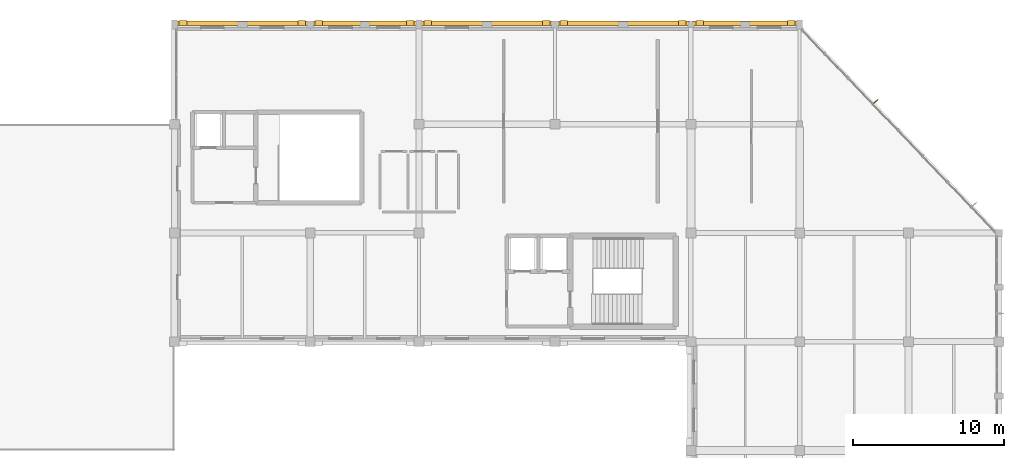
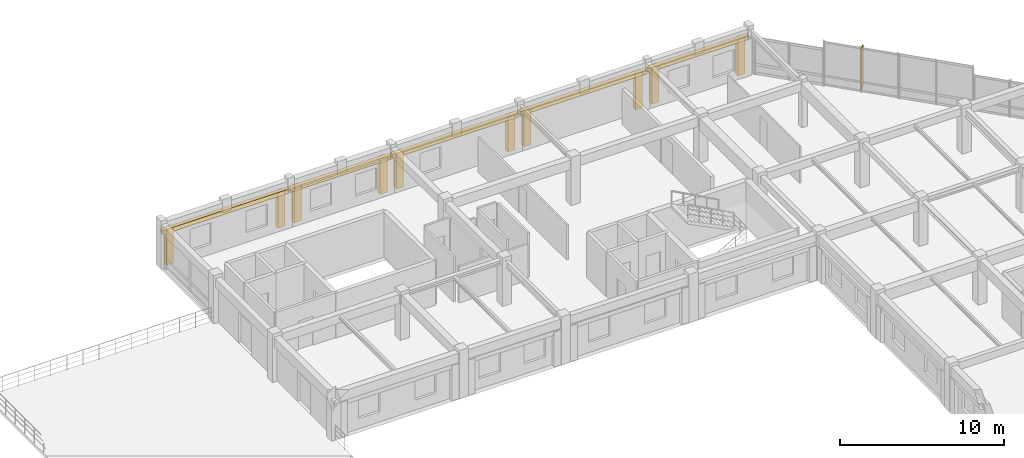
# One storey, part 18 of 18: 15 coverings, 1 shading device.
"""IFC4 building model written with IfcOpenShell, lengths in metres."""

from ifc_helpers import new_model, si_unit, direction, frame, frame_2d, origin, place, context, subcontext, project, spatial, rectangle, extrude, material, layer, layer_set, type_object, element, save


model = new_model("IFC4")

# Units and contexts
model_context = context("Model", 3, precision=1e-05, world=origin(), true_north=direction((0.0, 1.0)))
body_context = subcontext(model_context, "Body", "Model", "MODEL_VIEW")
ifc_project = project(units=[si_unit("LENGTHUNIT", "METRE"), si_unit("AREAUNIT", "SQUARE_METRE"), si_unit("VOLUMEUNIT", "CUBIC_METRE"), si_unit("PLANEANGLEUNIT", "RADIAN"), si_unit("MASSUNIT", "GRAM", prefix="KILO")], contexts=[model_context])

# Site, building, storey
site_placement = place(None, origin())
site = spatial("IfcSite", under=ifc_project, at=site_placement, CompositionType="ELEMENT")
building_placement = place(site_placement, origin())
building = spatial("IfcBuilding", under=site, at=building_placement, Name="Clarverna Civic Hall", CompositionType="ELEMENT")
storey_placement = place(building_placement, frame((0.0, 0.0, 20.39990234375)))
storey = spatial("IfcBuildingStorey", under=building, at=storey_placement, Name="L05", CompositionType="ELEMENT", Elevation=20.39990234375)

# Coverings
ifc_material_1 = material(Name="Montjuic Buff Limestone Ashlar Cladding", Category="masonry")
ifc_layer_1 = layer(ifc_material_1, 0.070068359375)
ifc_layer_set_1 = layer_set([ifc_layer_1], Name="Montjuic Buff Limestone Ashlar Cladding")
covering_type = type_object("IfcCoveringType", Name="CV-CL2", PredefinedType="CLADDING", material=ifc_layer_set_1)
covering_1_placement = place(storey_placement, frame((113.4599609375, 116.080078125, 2.360107421875), z_axis=(0.0, 0.0, 1.0), x_axis=(1.0, 0.0, 0.0)))
element("IfcCovering", 1, at=covering_1_placement, inside=storey, type_object=covering_type, Name="CV-CL2-854", PredefinedType="CLADDING", context=body_context, shape_type="SweptSolid", body=[
    extrude(rectangle(XDim=8.880126953125, YDim=0.280029296875, at=frame_2d((4.43994140625, 0.0))), origin(), (0.0, 0.0, 1.0), 0.300048828125),
])
for number, where, z_axis, x_axis, name in (
    (2, (113.719970703125, 116.110107421875, 0.0), (0.0, 0.0, 1.0), (1.0, 0.0, 0.0), "CV-CL2-855"),
    (3, (121.580078125, 116.110107421875, 0.0), (0.0, 0.0, 1.0), (1.0, 0.0, 0.0), "CV-CL2-856"),
):
    element("IfcCovering", number, at=place(storey_placement, frame(where, z_axis=z_axis, x_axis=x_axis)), inside=storey, type_object=covering_type, Name=name, PredefinedType="CLADDING", context=body_context, shape_type="SweptSolid", body=[
        extrude(rectangle(XDim=0.5, YDim=0.340087890625, at=frame_2d((0.25, 0.0))), origin(), (0.0, 0.0, 1.0), 2.64013671875),
    ])
covering_2_placement = place(storey_placement, frame((122.4599609375, 116.080078125, 2.360107421875), z_axis=(0.0, 0.0, 1.0), x_axis=(1.0, 0.0, 0.0)))
element("IfcCovering", 4, at=covering_2_placement, inside=storey, type_object=covering_type, Name="CV-CL2-857", PredefinedType="CLADDING", context=body_context, shape_type="SweptSolid", body=[
    extrude(rectangle(XDim=7.080078125, YDim=0.280029296875, at=frame_2d((3.5400390625, 0.0))), origin(), (0.0, 0.0, 1.0), 0.300048828125),
])
for number, where, z_axis, x_axis, name in (
    (5, (122.719970703125, 116.110107421875, 0.0), (0.0, 0.0, 1.0), (1.0, 0.0, 0.0), "CV-CL2-858"),
    (6, (128.780029296875, 116.110107421875, 0.0), (0.0, 0.0, 1.0), (1.0, 0.0, 0.0), "CV-CL2-859"),
):
    element("IfcCovering", number, at=place(storey_placement, frame(where, z_axis=z_axis, x_axis=x_axis)), inside=storey, type_object=covering_type, Name=name, PredefinedType="CLADDING", context=body_context, shape_type="SweptSolid", body=[
        extrude(rectangle(XDim=0.5, YDim=0.340087890625, at=frame_2d((0.25, 0.0))), origin(), (0.0, 0.0, 1.0), 2.64013671875),
    ])
covering_3_placement = place(storey_placement, frame((129.659912109375, 116.080078125, 2.360107421875), z_axis=(0.0, 0.0, 1.0), x_axis=(1.0, 0.0, 0.0)))
element("IfcCovering", 7, at=covering_3_placement, inside=storey, type_object=covering_type, Name="CV-CL2-860", PredefinedType="CLADDING", context=body_context, shape_type="SweptSolid", body=[
    extrude(rectangle(XDim=8.880126953125, YDim=0.280029296875, at=frame_2d((4.43994140625, 0.0))), origin(), (0.0, 0.0, 1.0), 0.300048828125),
])
for number, where, z_axis, x_axis, name in (
    (8, (129.919921875, 116.110107421875, 0.0), (0.0, 0.0, 1.0), (1.0, 0.0, 0.0), "CV-CL2-861"),
    (9, (137.780029296875, 116.110107421875, 0.0), (0.0, 0.0, 1.0), (1.0, 0.0, 0.0), "CV-CL2-862"),
):
    element("IfcCovering", number, at=place(storey_placement, frame(where, z_axis=z_axis, x_axis=x_axis)), inside=storey, type_object=covering_type, Name=name, PredefinedType="CLADDING", context=body_context, shape_type="SweptSolid", body=[
        extrude(rectangle(XDim=0.5, YDim=0.340087890625, at=frame_2d((0.25, 0.0))), origin(), (0.0, 0.0, 1.0), 2.64013671875),
    ])
covering_4_placement = place(storey_placement, frame((138.659912109375, 116.080078125, 2.400146484375), z_axis=(0.0, 0.0, 1.0), x_axis=(1.0, 0.0, 0.0)))
element("IfcCovering", 10, at=covering_4_placement, inside=storey, type_object=covering_type, Name="CV-CL2-863", PredefinedType="CLADDING", context=body_context, shape_type="SweptSolid", body=[
    extrude(rectangle(XDim=8.880126953125, YDim=0.280029296875, at=frame_2d((4.43994140625, 0.0))), origin(), (0.0, 0.0, 1.0), 0.300048828125),
])
for number, where, z_axis, x_axis, name in (
    (11, (138.919921875, 116.110107421875, 0.0), (0.0, 0.0, 1.0), (1.0, 0.0, 0.0), "CV-CL2-864"),
    (12, (146.780029296875, 116.110107421875, 0.0), (0.0, 0.0, 1.0), (1.0, 0.0, 0.0), "CV-CL2-865"),
):
    element("IfcCovering", number, at=place(storey_placement, frame(where, z_axis=z_axis, x_axis=x_axis)), inside=storey, type_object=covering_type, Name=name, PredefinedType="CLADDING", context=body_context, shape_type="SweptSolid", body=[
        extrude(rectangle(XDim=0.5, YDim=0.340087890625, at=frame_2d((0.25, 0.0))), origin(), (0.0, 0.0, 1.0), 2.68017578125),
    ])
covering_5_placement = place(storey_placement, frame((147.659912109375, 116.080078125, 2.460205078125), z_axis=(0.0, 0.0, 1.0), x_axis=(1.0, 0.0, 0.0)))
element("IfcCovering", 13, at=covering_5_placement, inside=storey, type_object=covering_type, Name="CV-CL2-866", PredefinedType="CLADDING", context=body_context, shape_type="SweptSolid", body=[
    extrude(rectangle(XDim=7.080078125, YDim=0.280029296875, at=frame_2d((3.5400390625, 0.0))), origin(), (0.0, 0.0, 1.0), 0.2998046875),
])
for number, where, z_axis, x_axis, name in (
    (14, (147.919921875, 116.110107421875, 0.0), (0.0, 0.0, 1.0), (1.0, 0.0, 0.0), "CV-CL2-867"),
    (15, (153.97998046875, 116.110107421875, 0.0), (0.0, 0.0, 1.0), (1.0, 0.0, 0.0), "CV-CL2-868"),
):
    element("IfcCovering", number, at=place(storey_placement, frame(where, z_axis=z_axis, x_axis=x_axis)), inside=storey, type_object=covering_type, Name=name, PredefinedType="CLADDING", context=body_context, shape_type="SweptSolid", body=[
        extrude(rectangle(XDim=0.5, YDim=0.340087890625, at=frame_2d((0.25, 0.0))), origin(), (0.0, 0.0, 1.0), 2.739990234375),
    ])

# Shading device
ifc_material_2 = material(Name="Anodised Bronze Architectural Solar Fin", Category="aluminium")
ifc_layer_2 = layer(ifc_material_2, 0.054931640625)
ifc_layer_set_2 = layer_set([ifc_layer_2], Name="Anodised Bronze Architectural Solar Fin")
shading_device_type = type_object("IfcShadingDeviceType", Name="SD-FN1", PredefinedType="USERDEFINED", material=ifc_layer_set_2)
shading_device_placement = place(storey_placement, frame((159.627197265625, 110.70751953125, 0.150146484375), z_axis=(0.0, 0.0, 1.0), x_axis=(0.72269708108, 0.691164907239, 0.0)))
element("IfcShadingDevice", 16, at=shading_device_placement, inside=storey, type_object=shading_device_type, Name="SD-FN1-068", ObjectType="FIN", PredefinedType="USERDEFINED", context=body_context, shape_type="SweptSolid", body=[
    extrude(rectangle(XDim=0.47998046875, YDim=0.054931640625, at=frame_2d((0.239990234375, 0.0))), origin(), (0.0, 0.0, 1.0), 3.06005859375),
])

save(model, "model.ifc")
